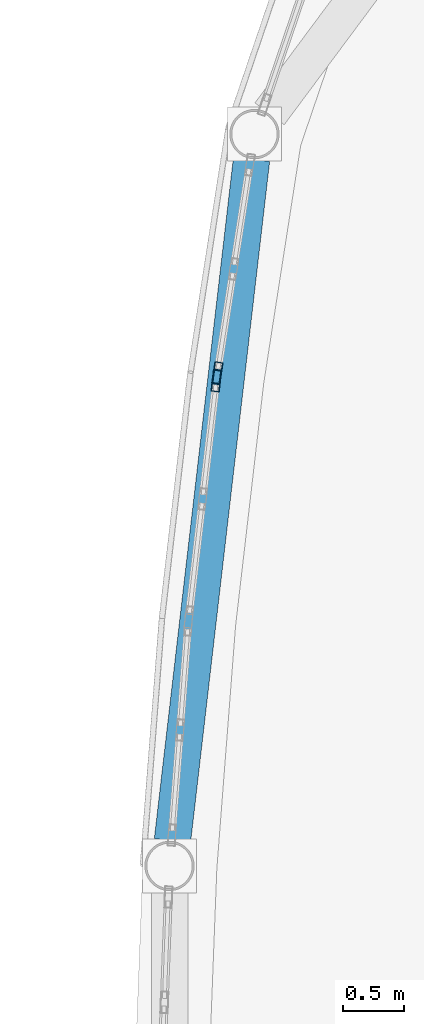
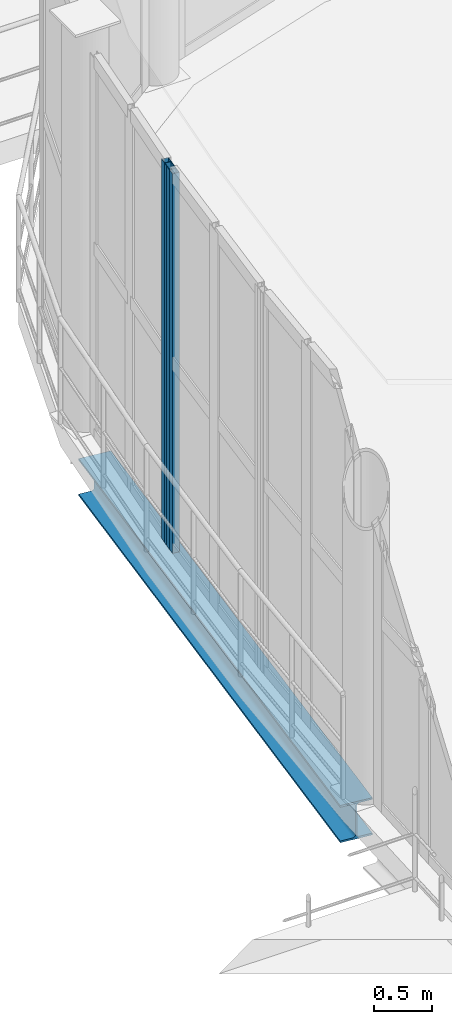
# One storey, part 45 of 121: 2 members, 1 beam, 2 elements without a shape of their own.
"""IFC4 building model written with IfcOpenShell, lengths in metres."""

import ifcopenshell
import ifcopenshell.guid

model = None  # the IFC model being written
_history = None  # IfcOwnerHistory: only IFC2X3 demands one
_inside = {}  # id of a spatial element -> (the spatial element, [elements in it])
_under = {}  # id of a project, library or spatial element -> (it, [spatial elements below it])
_declared = {}  # id of a project -> (the project, [libraries it declares])
_typed = {}  # id of a type object -> (the type object, [elements of that type])
_made_of = {}  # id of a material, layer set ... -> (it, [elements and type objects made of it])


def new_model(schema):
    """Start an empty IFC model of exactly this schema.

    Asked for "IFC4X3", IfcOpenShell would pick the latest addendum, in which some entities
    have other attributes; the version numbers below select the first issue.
    IFC2X3 requires an IfcOwnerHistory on every rooted entity: one is made here for all.
    """
    global model, _history
    if schema == "IFC4X3":
        model = ifcopenshell.file(schema_version=(4, 3, 0, 0))
    else:
        model = ifcopenshell.file(schema=schema)
    _inside.clear()
    _under.clear()
    _declared.clear()
    _typed.clear()
    _made_of.clear()
    _history = None
    if model.schema == "IFC2X3":
        org = make("IfcOrganization", Name="unknown")
        user = make(
            "IfcPersonAndOrganization",
            ThePerson=make("IfcPerson", FamilyName="unknown"),
            TheOrganization=org,
        )
        app = make(
            "IfcApplication",
            ApplicationDeveloper=org,
            Version="unknown",
            ApplicationFullName="unknown",
            ApplicationIdentifier="unknown",
        )
        _history = make(
            "IfcOwnerHistory",
            OwningUser=user,
            OwningApplication=app,
            ChangeAction="ADDED",
            CreationDate=0,
        )
    return model


def make(cls, **values):
    """One entity of the class cls with the attributes given. An attribute that is None is left unset."""
    return model.create_entity(
        cls, **{name: value for name, value in values.items() if value is not None}
    )


def rooted(cls, **values):
    """An entity with a GlobalId (a new one), such as an element, a storey or a relation."""
    return make(cls, GlobalId=ifcopenshell.guid.new(), OwnerHistory=_history, **values)


def si_unit(unit_type, name, prefix=None):
    """IfcSIUnit, for example si_unit("LENGTHUNIT", "METRE", prefix="MILLI")."""
    return make("IfcSIUnit", UnitType=unit_type, Prefix=prefix, Name=name)


def assignment(units):
    """IfcUnitAssignment: the units of a project."""
    return None if units is None else make("IfcUnitAssignment", Units=units)


def point(xyz):
    """IfcCartesianPoint."""
    return None if xyz is None else make("IfcCartesianPoint", Coordinates=xyz)


def direction(xyz):
    """IfcDirection."""
    return None if xyz is None else make("IfcDirection", DirectionRatios=xyz)


def frame(location, z_axis=None, x_axis=None):
    """IfcAxis2Placement3D, a coordinate frame: its origin and axes. An axis left out is left unset."""
    return make(
        "IfcAxis2Placement3D",
        Location=point(location),
        Axis=direction(z_axis),
        RefDirection=direction(x_axis),
    )


def frame_2d(location, x_axis=None):
    """IfcAxis2Placement2D, a coordinate frame in the plane: its origin and x axis."""
    return make(
        "IfcAxis2Placement2D", Location=point(location), RefDirection=direction(x_axis)
    )


def origin():
    """The frame at (0, 0, 0) with its axes left unset."""
    return frame((0.0, 0.0, 0.0))


def origin_2d():
    """The frame at (0, 0) in the plane with its x axis left unset."""
    return frame_2d((0.0, 0.0))


def place(relative_to, where):
    """IfcLocalPlacement: puts the frame where relative to a parent placement (None: the world)."""
    return make(
        "IfcLocalPlacement", PlacementRelTo=relative_to, RelativePlacement=where
    )


def context(
    kind, dimensions, precision=None, world=None, true_north=None, identifier=None
):
    """IfcGeometricRepresentationContext, for example the 3D "Model" context."""
    return make(
        "IfcGeometricRepresentationContext",
        ContextIdentifier=identifier,
        ContextType=kind,
        CoordinateSpaceDimension=dimensions,
        Precision=precision,
        WorldCoordinateSystem=world,
        TrueNorth=true_north,
    )


def subcontext(parent, identifier, kind, view, scale=None):
    """IfcGeometricRepresentationSubContext, for example "Body" below "Model"."""
    return make(
        "IfcGeometricRepresentationSubContext",
        ContextIdentifier=identifier,
        ContextType=kind,
        ParentContext=parent,
        TargetScale=scale,
        TargetView=view,
    )


def project(units=None, contexts=None):
    """IfcProject with its units and contexts."""
    return rooted(
        "IfcProject",
        Name="project",
        RepresentationContexts=contexts,
        UnitsInContext=assignment(units),
    )


def spatial(cls, under=None, at=None, **own):
    """A site, building, storey or space (cls), placed at a placement, below another one or the project."""
    s = rooted(cls, ObjectPlacement=at, **own)
    if under is not None:
        _under.setdefault(under.id(), (under, []))[1].append(s)
    return s


def profile(cls, at=None, kind="AREA", **sizes):
    """A parametric profile (cls). Its sizes go by their IFC names, for example OverallWidth=200.0."""
    return make(cls, ProfileType=kind, Position=at, **sizes)


def hollow_rectangle(**sizes):
    """IfcRectangleHollowProfileDef."""
    return profile("IfcRectangleHollowProfileDef", **sizes)


def i_section(**sizes):
    """IfcIShapeProfileDef."""
    return profile("IfcIShapeProfileDef", **sizes)


def extrude(swept, where, along, depth):
    """IfcExtrudedAreaSolid: the profile swept, set in the frame where, extruded along a direction by depth."""
    return make(
        "IfcExtrudedAreaSolid",
        SweptArea=swept,
        Position=where,
        ExtrudedDirection=direction(along),
        Depth=depth,
    )


def shape(context_of_items, identifier, shape_type, items):
    """IfcShapeRepresentation: the items that make up one representation, for example the "Body"."""
    return make(
        "IfcShapeRepresentation",
        ContextOfItems=context_of_items,
        RepresentationIdentifier=identifier,
        RepresentationType=shape_type,
        Items=items,
    )


def material(Name=None, Category=None):
    """IfcMaterial."""
    return make("IfcMaterial", Name=Name, Category=Category)


def layer(
    of_material, thickness, ventilated=None, Name=None, Category=None, Priority=None
):
    """IfcMaterialLayer: one layer of a wall or slab, of a material (None: an air gap)."""
    return make(
        "IfcMaterialLayer",
        Material=of_material,
        LayerThickness=thickness,
        IsVentilated=ventilated,
        Name=Name,
        Category=Category,
        Priority=Priority,
    )


def layer_set(layers, Name=None):
    """IfcMaterialLayerSet."""
    return make("IfcMaterialLayerSet", MaterialLayers=layers, LayerSetName=Name)


def material_profile(
    of_material, cross_section, Name=None, Category=None, Priority=None
):
    """IfcMaterialProfile: a cross section and its material."""
    return make(
        "IfcMaterialProfile",
        Name=Name,
        Material=of_material,
        Profile=cross_section,
        Priority=Priority,
        Category=Category,
    )


def profile_set(profiles, Name=None, composite=None):
    """IfcMaterialProfileSet."""
    return make(
        "IfcMaterialProfileSet",
        Name=Name,
        MaterialProfiles=profiles,
        CompositeProfile=composite,
    )


def made_of(thing, what):
    """Note that an element or type object is made of a material, layer set ...; save() writes the relation."""
    if what is not None:
        _made_of.setdefault(what.id(), (what, []))[1].append(thing)
    return thing


def type_object(cls, material=None, **own):
    """A type object (cls), such as IfcWallType, which elements share."""
    return made_of(rooted(cls, **own), material)


def element(
    cls,
    number,
    at=None,
    inside=None,
    cuts=None,
    type_object=None,
    material=None,
    context=None,
    identifier="Body",
    shape_type=None,
    held_by="IfcProductDefinitionShape",
    body=None,
    shapes=None,
    **own,
):
    """One element of the class cls, such as IfcWall. Its Tag is "e" and its number.

    at: its placement. inside: the storey or other place that contains it. cuts: it is an
    opening in that element (IfcRelVoidsElement). A single representation is given by context,
    identifier, shape_type and body (its items); several are given by shapes. held_by: the class
    of the entity that holds the representations. save() writes the other relations.
    """
    e = rooted(cls, Tag="e%d" % number, ObjectPlacement=at, **own)
    if body is not None:
        shapes = [shape(context, identifier, shape_type, body)]
    if shapes is not None:
        e.Representation = make(held_by, Representations=shapes)
    if inside is not None:
        _inside.setdefault(inside.id(), (inside, []))[1].append(e)
    if cuts is not None:
        rooted(
            "IfcRelVoidsElement", RelatingBuildingElement=cuts, RelatedOpeningElement=e
        )
    if type_object is not None:
        _typed.setdefault(type_object.id(), (type_object, []))[1].append(e)
    return made_of(e, material)


def aggregate(whole, parts):
    """IfcRelAggregates: a whole, such as a stair, and the parts it consists of."""
    return rooted("IfcRelAggregates", RelatingObject=whole, RelatedObjects=parts)


def save(model, path):
    """Write the relations noted so far, then the file.

    IfcRelAggregates (storeys below a building ...), IfcRelContainedInSpatialStructure (elements
    in a storey), IfcRelDefinesByType, IfcRelAssociatesMaterial and IfcRelDeclares: one each for
    every whole, place, type object, material and project.
    """
    for whole, parts in _under.values():
        aggregate(whole, parts)
    for where, things in _inside.values():
        rooted(
            "IfcRelContainedInSpatialStructure",
            RelatedElements=things,
            RelatingStructure=where,
        )
    for kind, things in _typed.values():
        rooted("IfcRelDefinesByType", RelatedObjects=things, RelatingType=kind)
    for what, things in _made_of.values():
        rooted("IfcRelAssociatesMaterial", RelatedObjects=things, RelatingMaterial=what)
    for by, libraries in _declared.values():
        rooted("IfcRelDeclares", RelatingContext=by, RelatedDefinitions=libraries)
    model.write(path)


model = new_model("IFC4")

# Units and contexts
model_context = context("Model", 3, precision=1e-05, world=origin(), true_north=direction((0.0, 1.0)))
body_context = subcontext(model_context, "Body", "Model", "MODEL_VIEW")
ifc_project = project(units=[si_unit("LENGTHUNIT", "METRE"), si_unit("AREAUNIT", "SQUARE_METRE"), si_unit("VOLUMEUNIT", "CUBIC_METRE"), si_unit("PLANEANGLEUNIT", "RADIAN"), si_unit("MASSUNIT", "GRAM", prefix="KILO")], contexts=[model_context])

# Site, building, storey
site_placement = place(None, origin())
site = spatial("IfcSite", under=ifc_project, at=site_placement, CompositionType="ELEMENT")
building_placement = place(site_placement, origin())
building = spatial("IfcBuilding", under=site, at=building_placement, Name="Vinh Khe Railworks Police Headquarters", CompositionType="ELEMENT")
storey_placement = place(building_placement, frame((0.0, 0.0, 4.800048828125)))
storey = spatial("IfcBuildingStorey", under=building, at=storey_placement, Name="L01", CompositionType="ELEMENT", Elevation=4.800048828125)

# Curtain wall, member
ifc_material_1 = material(Name="Anodised aluminium and acoustic laminated glass", Category="aluminium")
ifc_layer = layer(ifc_material_1, 0.159912109375)
ifc_layer_set = layer_set([ifc_layer], Name="Anodised aluminium and acoustic laminated glass")
curtain_wall_type = type_object("IfcCurtainWallType", Name="CW-DRUM-CHORD", PredefinedType="USERDEFINED", material=ifc_layer_set)
curtain_wall_1_placement = place(storey_placement, origin())
curtain_wall_1 = element("IfcCurtainWall", 1, at=curtain_wall_1_placement, inside=storey, type_object=curtain_wall_type, Name="Elliptical Command Drum Glazing L01 Chord 19", ObjectType="DRUM FACADE GLAZING", PredefinedType="USERDEFINED")
ifc_material_2 = material(Name="Anodised aluminium 6063-T6", Category="aluminium")
ifc_material_profile_1 = material_profile(ifc_material_2, hollow_rectangle(XDim=0.06494140625, YDim=0.179931640625, WallThickness=0.0048828125, at=origin_2d()), Name="CW-M 65x180x5")
ifc_profile_set_1 = profile_set([ifc_material_profile_1], Name="Anodised aluminium 6063-T6")
member_type = type_object("IfcMemberType", Name="MULL-CWM-02", PredefinedType="MULLION", material=ifc_profile_set_1)
member_1_placement = place(storey_placement, frame((37.181396484375, 49.089599609375, 0.0), z_axis=(0.0, 0.0, 1.0), x_axis=(0.988150267331, -0.153489573502, 0.0)))
member_1 = element("IfcMember", 2, at=member_1_placement, type_object=member_type, Name="CW-02 mullion 3", PredefinedType="MULLION", context=body_context, shape_type="SweptSolid", body=[
    extrude(hollow_rectangle(XDim=0.06494140625, YDim=0.179931640625, WallThickness=0.0048828125, at=origin_2d()), origin(), (0.0, 0.0, 1.0), 3.969970703125),
])
aggregate(curtain_wall_1, [member_1])

curtain_wall_2_placement = place(storey_placement, origin())
curtain_wall_2 = element("IfcCurtainWall", 3, at=curtain_wall_2_placement, inside=storey, type_object=curtain_wall_type, Name="Elliptical Command Drum Glazing L01 Chord 20", ObjectType="DRUM FACADE GLAZING", PredefinedType="USERDEFINED")
member_2_placement = place(storey_placement, frame((37.1728515625, 49.025146484375, 0.0), z_axis=(0.0, 0.0, 1.0), x_axis=(0.993328656296, -0.115317737498, 0.0)))
member_2 = element("IfcMember", 4, at=member_2_placement, type_object=member_type, Name="CW-02 mullion 1", PredefinedType="MULLION", context=body_context, shape_type="SweptSolid", body=[
    extrude(hollow_rectangle(XDim=0.06494140625, YDim=0.179931640625, WallThickness=0.0048828125, at=origin_2d()), origin(), (0.0, 0.0, 1.0), 3.969970703125),
])
aggregate(curtain_wall_2, [member_2])

# Beam
ifc_material_3 = material(Name="Steel S355JR", Category="steel")
ifc_material_profile_2 = material_profile(ifc_material_3, i_section(OverallWidth=0.300048828125, OverallDepth=0.389892578125, WebThickness=0.010986328125, FlangeThickness=0.01904296875, FilletRadius=0.027099609375, at=origin_2d()), Name="HEA 400")
ifc_profile_set_2 = profile_set([ifc_material_profile_2], Name="Steel S355JR")
beam_type = type_object("IfcBeamType", Name="Steel Girder HEA 400", PredefinedType="BEAM", material=ifc_profile_set_2)
beam_placement = place(storey_placement, frame((37.462890625, 50.848876953125, -0.43505859375), z_axis=(-0.115341149959, -0.993325938011, 0.0), x_axis=(0.993325938011, -0.115341149959, 0.0)))
element("IfcBeam", 5, at=beam_placement, inside=storey, type_object=beam_type, Name="Drum Ring Girder BM-L01-DRUM-SB-14-0725", PredefinedType="BEAM", context=body_context, shape_type="SweptSolid", body=[
    extrude(i_section(OverallWidth=0.300048828125, OverallDepth=0.389892578125, WebThickness=0.010986328125, FlangeThickness=0.01904296875, FilletRadius=0.027099609375, at=origin_2d()), origin(), (0.0, 0.0, 1.0), 5.647216796875),
])

save(model, "model.ifc")
